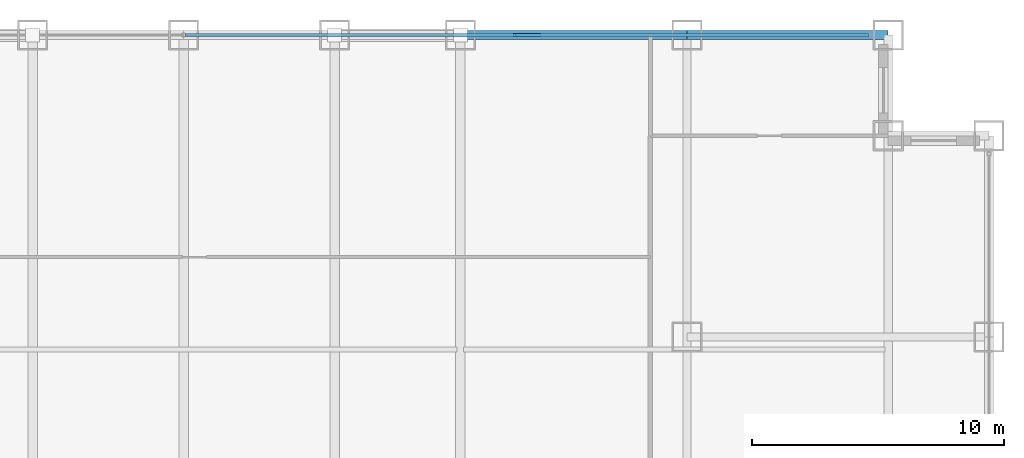
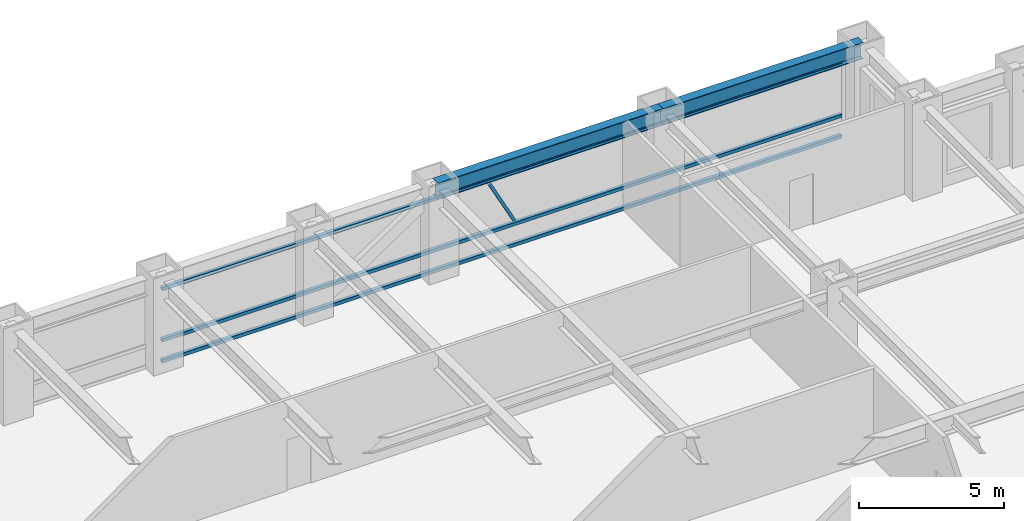
# One storey, part 20 of 27: 4 members, 2 beams, 1 element without a shape of its own.
"""IFC4 building model written with IfcOpenShell, lengths in metres."""

from ifc_helpers import new_model, si_unit, direction, frame, origin, origin_2d, place, context, subcontext, project, spatial, hollow_rectangle, i_section, extrude, source, transform, mapped, material, material_profile, profile_set, type_object, element, aggregate, save


model = new_model("IFC4")

# Units and contexts
model_context = context("Model", 3, precision=1e-05, world=origin(), true_north=direction((0.0, 1.0)))
body_context = subcontext(model_context, "Body", "Model", "MODEL_VIEW")
ifc_project = project(units=[si_unit("LENGTHUNIT", "METRE"), si_unit("AREAUNIT", "SQUARE_METRE"), si_unit("VOLUMEUNIT", "CUBIC_METRE"), si_unit("PLANEANGLEUNIT", "RADIAN"), si_unit("MASSUNIT", "GRAM", prefix="KILO")], contexts=[model_context])

# Site, building, storey
site_placement = place(None, origin())
site = spatial("IfcSite", under=ifc_project, at=site_placement, CompositionType="ELEMENT")
building_placement = place(site_placement, origin())
building = spatial("IfcBuilding", under=site, at=building_placement, Name="Khorayat Bourse Tower", CompositionType="ELEMENT")
storey_placement = place(building_placement, frame((0.0, 0.0, 103.699951171875)))
storey = spatial("IfcBuildingStorey", under=building, at=storey_placement, Name="L23", CompositionType="ELEMENT", Elevation=103.699951171875)

# Beams
ifc_material_1 = material(Name="Steel ASTM A992 Grade 50", Category="steel")
ifc_material_profile_1 = material_profile(ifc_material_1, i_section(OverallWidth=0.35498046875, OverallDepth=0.695068359375, WebThickness=0.015380859375, FlangeThickness=0.02490234375, FilletRadius=0.01806640625, at=origin_2d()), Name="W690X217")
ifc_profile_set_1 = profile_set([ifc_material_profile_1], Name="Steel ASTM A992 Grade 50")
beam_type = type_object("IfcBeamType", Name="BM-SPAN-690", PredefinedType="SPANDREL", material=ifc_profile_set_1)
shared_shape_1 = source(origin(), body_context, "Body", "SweptSolid", [
    extrude(i_section(OverallWidth=0.35498046875, OverallDepth=0.695068359375, WebThickness=0.015380859375, FlangeThickness=0.02490234375, FilletRadius=0.01806640625, at=origin_2d()), origin(), (0.0, 0.0, 1.0), 9.0),
])
beam_1_placement = place(storey_placement, frame((11.0, 32.0, 3.492431640625), z_axis=(1.0, 0.0, 0.0), x_axis=(0.0, 1.0, 0.0)))
element("IfcBeam", 1, at=beam_1_placement, inside=storey, type_object=beam_type, Name="L23 BM-SPAN-690 BM-L23-SPN-045", PredefinedType="SPANDREL", context=body_context, shape_type="MappedRepresentation", body=[
    mapped(shared_shape_1, transform((0.0, 0.0, 0.0), scale=1.0)),
])
shared_shape_2 = source(origin(), body_context, "Body", "SweptSolid", [
    extrude(i_section(OverallWidth=0.35498046875, OverallDepth=0.695068359375, WebThickness=0.015380859375, FlangeThickness=0.02490234375, FilletRadius=0.01806640625, at=origin_2d()), origin(), (0.0, 0.0, 1.0), 8.0),
])
beam_2_placement = place(storey_placement, frame((20.0, 32.0, 3.492431640625), z_axis=(1.0, 0.0, 0.0), x_axis=(0.0, 1.0, 0.0)))
element("IfcBeam", 2, at=beam_2_placement, inside=storey, type_object=beam_type, Name="L23 BM-SPAN-690 BM-L23-SPN-044", PredefinedType="SPANDREL", context=body_context, shape_type="MappedRepresentation", body=[
    mapped(shared_shape_2, transform((0.0, 0.0, 0.0), scale=1.0)),
])

# Curtain wall, members
ifc_material_2 = material(Name="Aluminium EN AW-6063 T6", Category="aluminium")
curtain_wall_type = type_object("IfcCurtainWallType", Name="CW-SYS-02", PredefinedType="NOTDEFINED", material=ifc_material_2)
curtain_wall_placement = place(storey_placement, origin())
curtain_wall = element("IfcCurtainWall", 3, at=curtain_wall_placement, inside=storey, type_object=curtain_wall_type, Name="L23 Curtain Wall CW-L23-N1", PredefinedType="NOTDEFINED")
ifc_material_profile_2 = material_profile(ifc_material_2, hollow_rectangle(XDim=0.139892578125, YDim=0.139892578125, WallThickness=0.006103515625, at=origin_2d()), Name="ALU 140x140x6")
ifc_profile_set_2 = profile_set([ifc_material_profile_2], Name="Aluminium EN AW-6063 T6")
member_type_1 = type_object("IfcMemberType", Name="CWT-HORZ-140", PredefinedType="USERDEFINED", material=ifc_profile_set_2)
shared_shape_3 = source(origin(), body_context, "Body", "SweptSolid", [
    extrude(hollow_rectangle(XDim=0.139892578125, YDim=0.139892578125, WallThickness=0.006103515625, at=origin_2d()), origin(), (0.0, 0.0, 1.0), 27.139892578125),
])
member_1_placement = place(storey_placement, frame((0.070068359375, 32.0, 0.070068359375), z_axis=(1.0, 0.0, 0.0), x_axis=(0.0, 1.0, 0.0)))
member_1 = element("IfcMember", 4, at=member_1_placement, type_object=member_type_1, Name="CW-L23-N1 Horizontal Transom 2-1", ObjectType="TRANSOM", PredefinedType="USERDEFINED", context=body_context, shape_type="MappedRepresentation", body=[
    mapped(shared_shape_3, transform((0.0, 0.0, 0.0), scale=1.0)),
])
member_2_placement = place(storey_placement, frame((0.070068359375, 32.0, 0.949951171875), z_axis=(1.0, 0.0, 0.0), x_axis=(0.0, 1.0, 0.0)))
member_2 = element("IfcMember", 5, at=member_2_placement, type_object=member_type_1, Name="CW-L23-N1 Horizontal Transom 2-2", ObjectType="TRANSOM", PredefinedType="USERDEFINED", context=body_context, shape_type="MappedRepresentation", body=[
    mapped(shared_shape_3, transform((0.0, 0.0, 0.0), scale=1.0)),
])
member_3_placement = place(storey_placement, frame((0.070068359375, 32.0, 3.1201171875), z_axis=(1.0, 0.0, 0.0), x_axis=(0.0, 1.0, 0.0)))
member_3 = element("IfcMember", 6, at=member_3_placement, type_object=member_type_1, Name="CW-L23-N1 Horizontal Transom 2-3", ObjectType="TRANSOM", PredefinedType="USERDEFINED", context=body_context, shape_type="MappedRepresentation", body=[
    mapped(shared_shape_3, transform((0.0, 0.0, 0.0), scale=1.0)),
])
ifc_material_profile_3 = material_profile(ifc_material_2, hollow_rectangle(XDim=0.1201171875, YDim=0.1201171875, WallThickness=0.0048828125, at=origin_2d()), Name="ALU 120x120x5")
ifc_profile_set_3 = profile_set([ifc_material_profile_3], Name="Aluminium EN AW-6063 T6")
member_type_2 = type_object("IfcMemberType", Name="CWM-DIAG-120", PredefinedType="MULLION", material=ifc_profile_set_3)
shared_shape_4 = source(origin(), body_context, "Body", "SweptSolid", [
    extrude(hollow_rectangle(XDim=0.1201171875, YDim=0.1201171875, WallThickness=0.0048828125, at=origin_2d()), origin(), (0.0, 0.0, 1.0), 2.113037109375),
])
member_4_placement = place(storey_placement, frame((14.132080078125, 32.0, 1.10009765625), z_axis=(-0.465741670874, 0.0, 0.884920728659), x_axis=(0.0, -1.0, 0.0)))
member_4 = element("IfcMember", 7, at=member_4_placement, type_object=member_type_2, Name="CW-L23-N1 Faceted Diagonal Mullion 2", PredefinedType="MULLION", context=body_context, shape_type="MappedRepresentation", body=[
    mapped(shared_shape_4, transform((0.0, 0.0, 0.0), scale=1.0)),
])
aggregate(curtain_wall, [member_1, member_2, member_3, member_4])

save(model, "model.ifc")
